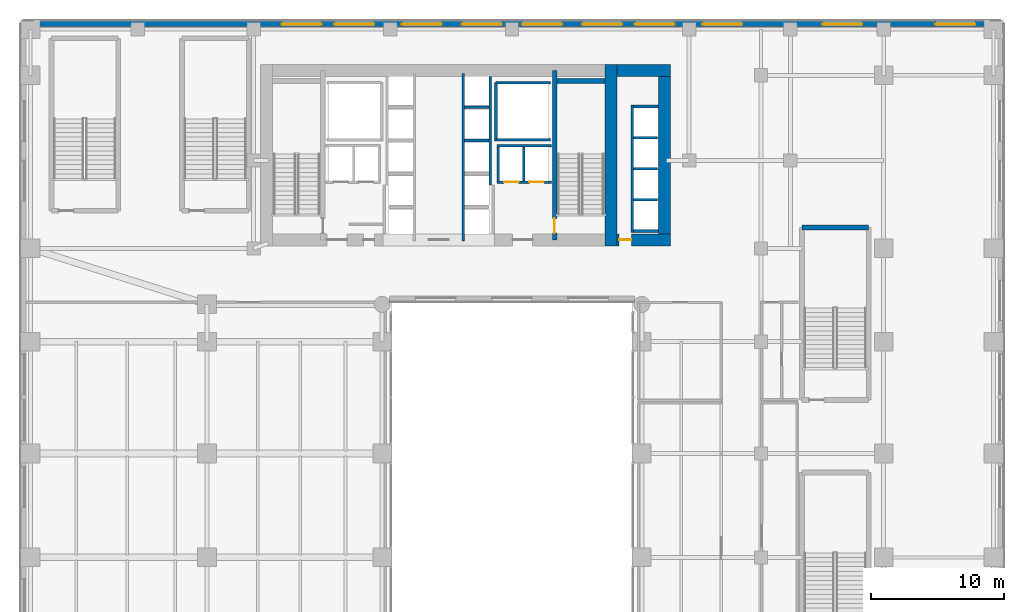
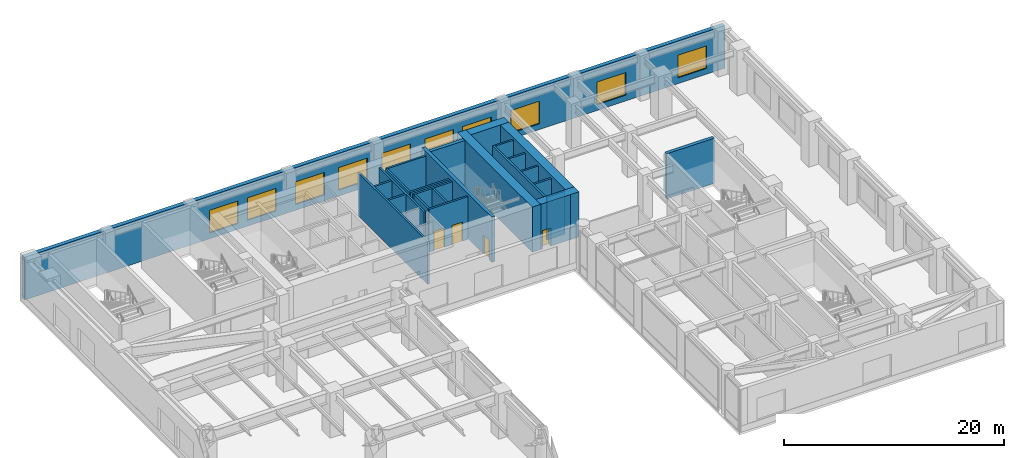
# One storey, part 15 of 24: 25 walls, 10 windows, 4 doors, 14 openings.
"""IFC4 building model written with IfcOpenShell, lengths in metres."""

from ifc_helpers import new_model, si_unit, direction, frame, frame_2d, origin, place, context, subcontext, project, spatial, rectangle, extrude, source, transform, mapped, material, layer, layer_set, type_object, type_shapes, element, fill, save


model = new_model("IFC4")

# Units and contexts
model_context = context("Model", 3, precision=1e-05, world=origin(), true_north=direction((0.0, 1.0)))
body_context = subcontext(model_context, "Body", "Model", "MODEL_VIEW")
ifc_project = project(units=[si_unit("LENGTHUNIT", "METRE"), si_unit("AREAUNIT", "SQUARE_METRE"), si_unit("VOLUMEUNIT", "CUBIC_METRE"), si_unit("PLANEANGLEUNIT", "RADIAN"), si_unit("MASSUNIT", "GRAM", prefix="KILO")], contexts=[model_context])

# Site, building, storey
site_placement = place(None, origin())
site = spatial("IfcSite", under=ifc_project, at=site_placement, CompositionType="ELEMENT")
building_placement = place(site_placement, origin())
building = spatial("IfcBuilding", under=site, at=building_placement, Name="Tolvann Quenvar Hotel", CompositionType="ELEMENT")
storey_placement = place(building_placement, frame((0.0, 0.0, 6.0)))
storey = spatial("IfcBuildingStorey", under=building, at=storey_placement, Name="L01", CompositionType="ELEMENT", Elevation=6.0)

# Wall
ifc_material_1 = material(Name="Concrete S80 (80 MPa)", Category="concrete")
ifc_layer_1 = layer(ifc_material_1, 0.89990234375)
ifc_layer_set_1 = layer_set([ifc_layer_1], Name="Concrete S80 (80 MPa)")
wall_type_1 = type_object("IfcWallType", Name="WALL_CORE_900", PredefinedType="SHEAR", material=ifc_layer_set_1)
wall_1_placement = place(storey_placement, frame((35.949951171875, 31.60009765625, 0.0), z_axis=(0.0, 0.0, 1.0), x_axis=(0.0, 1.0, 0.0)))
element("IfcWall", 1, at=wall_1_placement, inside=storey, type_object=wall_type_1, Name="Rear Core E Shear Wall (L01)", PredefinedType="SHEAR", context=body_context, shape_type="SweptSolid", body=[
    extrude(rectangle(XDim=13.599853515625, YDim=0.89990234375, at=frame_2d((6.7998046875, 0.0))), origin(), (0.0, 0.0, 1.0), 5.0),
])

# Wall, opening, door
wall_2_placement = place(storey_placement, frame((36.39990234375, 32.050048828125, 0.0), z_axis=(0.0, 0.0, 1.0), x_axis=(1.0, 0.0, 0.0)))
wall_2 = element("IfcWall", 2, at=wall_2_placement, inside=storey, type_object=wall_type_1, Name="Core East Annex Shear Wall ANN-S (L01)", PredefinedType="SHEAR", context=body_context, shape_type="SweptSolid", body=[
    extrude(rectangle(XDim=4.0, YDim=0.89990234375, at=frame_2d((2.0, 0.0))), origin(), (0.0, 0.0, 1.0), 5.0),
])
opening_1_placement = place(wall_2_placement, frame((1.06982421875, 0.0, 0.0), z_axis=(0.0, 0.0, 1.0), x_axis=(-1.0, 0.0, 0.0)))
opening_1 = element("IfcOpeningElement", 3, at=opening_1_placement, cuts=wall_2, Name="Opening WD-01", PredefinedType="OPENING", context=body_context, shape_type="SweptSolid", body=[
    extrude(rectangle(XDim=0.919921875, YDim=2.010009765625, at=frame_2d((0.4599609375, 1.0048828125))), frame((0.0, 0.4599609375, 0.0), z_axis=(0.0, -1.0, 0.0), x_axis=(1.0, 0.0, 0.0)), (0.0, 0.0, 1.0), 0.919921875),
])
ifc_material_2 = material(Name="Solid-core American oak acoustic fire door leaf in steel frame", Category="steel")
door_type_1 = type_object("IfcDoorType", Name="DOOR_WC_920", OperationType="NOTDEFINED", PredefinedType="DOOR", material=ifc_material_2)
shared_shape_1 = source(origin(), body_context, "Body", "SweptSolid", [
    extrude(rectangle(XDim=0.919921875, YDim=2.010009765625, at=frame_2d((0.4599609375, 1.0048828125))), frame((0.0, 0.02490234375, 0.0), z_axis=(0.0, -1.0, 0.0), x_axis=(1.0, 0.0, 0.0)), (0.0, 0.0, 1.0), 0.050048828125),
])
type_shapes(door_type_1, [shared_shape_1])
door_1_placement = place(opening_1_placement, origin())
door_1 = element("IfcDoor", 4, at=door_1_placement, inside=storey, type_object=door_type_1, Name="Low-Rise Lift Lobby Fire Door (L01)", OperationType="SINGLE_SWING_RIGHT", OverallHeight=2.010009765625, OverallWidth=0.919921875, PredefinedType="DOOR", context=body_context, shape_type="MappedRepresentation", body=[
    mapped(shared_shape_1, transform((0.0, 0.0, 0.0), x_axis=(1.0, 0.0, 0.0), y_axis=(0.0, 1.0, 0.0), z_axis=(0.0, 0.0, 1.0), scale=1.0)),
])
fill(opening_1, door_1)

# Walls
wall_3_placement = place(storey_placement, frame((36.39990234375, 44.75, 0.0), z_axis=(0.0, 0.0, 1.0), x_axis=(1.0, 0.0, 0.0)))
element("IfcWall", 5, at=wall_3_placement, inside=storey, type_object=wall_type_1, Name="Core East Annex Shear Wall ANN-N (L01)", PredefinedType="SHEAR", context=body_context, shape_type="SweptSolid", body=[
    extrude(rectangle(XDim=4.0, YDim=0.89990234375, at=frame_2d((2.0, 0.0))), origin(), (0.0, 0.0, 1.0), 5.0),
])
wall_4_placement = place(storey_placement, frame((39.949951171875, 31.60009765625, 0.0), z_axis=(0.0, 0.0, 1.0), x_axis=(0.0, 1.0, 0.0)))
element("IfcWall", 6, at=wall_4_placement, inside=storey, type_object=wall_type_1, Name="Core East Annex Shear Wall ANN-E (L01)", PredefinedType="SHEAR", context=body_context, shape_type="SweptSolid", body=[
    extrude(rectangle(XDim=13.599853515625, YDim=0.89990234375, at=frame_2d((6.7998046875, 0.0))), origin(), (0.0, 0.0, 1.0), 5.0),
])

# Wall, opening, door
ifc_material_3 = material(Name="Concrete S65 (65 MPa)", Category="concrete")
ifc_layer_2 = layer(ifc_material_3, 0.35009765625)
ifc_layer_set_2 = layer_set([ifc_layer_2], Name="Concrete S65 (65 MPa)")
wall_type_2 = type_object("IfcWallType", Name="WALL_CORE_INT_350", PredefinedType="SHEAR", material=ifc_layer_set_2)
wall_5_placement = place(storey_placement, frame((31.699951171875, 32.050048828125, 0.0), z_axis=(0.0, 0.0, 1.0), x_axis=(0.0, 1.0, 0.0)))
wall_5 = element("IfcWall", 7, at=wall_5_placement, inside=storey, type_object=wall_type_2, Name="Core Internal Web Shear Wall WEB-E (L01)", PredefinedType="SHEAR", context=body_context, shape_type="SweptSolid", body=[
    extrude(rectangle(XDim=12.699951171875, YDim=0.35009765625, at=frame_2d((6.35009765625, 0.0))), origin(), (0.0, 0.0, 1.0), 5.0),
])
opening_2_placement = place(wall_5_placement, frame((1.60009765625, 0.0, 0.0), z_axis=(0.0, 0.0, 1.0), x_axis=(-1.0, 0.0, 0.0)))
opening_2 = element("IfcOpeningElement", 8, at=opening_2_placement, cuts=wall_5, Name="Opening FD-120", PredefinedType="OPENING", context=body_context, shape_type="SweptSolid", body=[
    extrude(rectangle(XDim=1.10009765625, YDim=2.1201171875, at=frame_2d((0.550048828125, 1.06005859375))), frame((0.0, 0.18505859375, 0.0), z_axis=(0.0, -1.0, 0.0), x_axis=(1.0, 0.0, 0.0)), (0.0, 0.0, 1.0), 0.3701171875),
])
ifc_material_4 = material(Name="Pressed galvanised steel fire-rated door set", Category="steel")
door_type_2 = type_object("IfcDoorType", Name="DOOR_FIRE_STAIR_1100", OperationType="NOTDEFINED", PredefinedType="DOOR", material=ifc_material_4)
shared_shape_2 = source(origin(), body_context, "Body", "SweptSolid", [
    extrude(rectangle(XDim=1.10009765625, YDim=2.1201171875, at=frame_2d((0.550048828125, 1.06005859375))), frame((0.0, 0.02490234375, 0.0), z_axis=(0.0, -1.0, 0.0), x_axis=(1.0, 0.0, 0.0)), (0.0, 0.0, 1.0), 0.050048828125),
])
type_shapes(door_type_2, [shared_shape_2])
door_2_placement = place(opening_2_placement, origin())
door_2 = element("IfcDoor", 9, at=door_2_placement, inside=storey, type_object=door_type_2, Name="Exit Stair ST-C2 Fire Door (L01)", OperationType="SINGLE_SWING_RIGHT", OverallHeight=2.1201171875, OverallWidth=1.10009765625, PredefinedType="DOOR", context=body_context, shape_type="MappedRepresentation", body=[
    mapped(shared_shape_2, transform((0.0, 0.0, 0.0), x_axis=(1.0, 0.0, 0.0), y_axis=(0.0, 1.0, 0.0), z_axis=(0.0, 0.0, 1.0), scale=1.0)),
])
fill(opening_2, door_2)

# Walls
wall_6_placement = place(storey_placement, frame((31.8798828125, 43.97509765625, 0.0), z_axis=(0.0, 0.0, 1.0), x_axis=(1.0, 0.0, 0.0)))
element("IfcWall", 10, at=wall_6_placement, inside=storey, type_object=wall_type_2, Name="Core Stair North Closing Shear Wall STC2-N (L01)", PredefinedType="SHEAR", context=body_context, shape_type="SweptSolid", body=[
    extrude(rectangle(XDim=3.60009765625, YDim=0.35009765625, at=frame_2d((1.800048828125, 0.0))), origin(), (0.0, 0.0, 1.0), 5.0),
])
wall_7_placement = place(storey_placement, frame((55.27490234375, 32.97509765625, 0.0), z_axis=(0.0, 0.0, 1.0), x_axis=(-1.0, 0.0, 0.0)))
element("IfcWall", 11, at=wall_7_placement, inside=storey, type_object=wall_type_2, Name="Stairwell ST-P4 Structural Shaft Wall N (L01)", PredefinedType="SHEAR", context=body_context, shape_type="SweptSolid", body=[
    extrude(rectangle(XDim=5.0, YDim=0.35009765625, at=frame_2d((2.5, 0.0))), origin(), (0.0, 0.0, 1.0), 5.0),
])

# Wall, openings, windows
ifc_material_5 = material(Name="Kiln-fired red and buff architectural clay brickwork and terracotta masonry", Category="masonry")
ifc_layer_3 = layer(ifc_material_5, 0.419921875)
ifc_layer_set_3 = layer_set([ifc_layer_3], Name="Kiln-fired red and buff architectural clay brickwork and terracotta masonry")
wall_type_3 = type_object("IfcWallType", Name="WALL_EXT_POD_420", PredefinedType="SOLIDWALL", material=ifc_layer_set_3)
wall_8_placement = place(storey_placement, frame((65.18994140625, 48.2900390625, 0.0), z_axis=(0.0, 0.0, 1.0), x_axis=(-1.0, 0.0, 0.0)))
wall_8 = element("IfcWall", 12, at=wall_8_placement, inside=storey, type_object=wall_type_3, Name="Exterior Chicago Brick Wall L01-E06", PredefinedType="SOLIDWALL", context=body_context, shape_type="SweptSolid", body=[
    extrude(rectangle(XDim=73.3798828125, YDim=0.419921875, at=frame_2d((36.68994140625, 0.0))), origin(), (0.0, 0.0, 1.0), 4.739990234375),
])
opening_3_placement = place(wall_8_placement, frame((1.906005859375, 0.0, 0.64990234375)))
opening_3 = element("IfcOpeningElement", 13, at=opening_3_placement, cuts=wall_8, Name="Opening W-05", PredefinedType="OPENING", context=body_context, shape_type="SweptSolid", body=[
    extrude(rectangle(XDim=3.0, YDim=2.5, at=frame_2d((1.5, 1.25))), frame((0.0, 0.219970703125, 0.0), z_axis=(0.0, -1.0, 0.0), x_axis=(1.0, 0.0, 0.0)), (0.0, 0.0, 1.0), 0.43994140625),
])
opening_4_placement = place(wall_8_placement, frame((10.3779296875, 0.0, 0.64990234375)))
opening_4 = element("IfcOpeningElement", 14, at=opening_4_placement, cuts=wall_8, Name="Opening W-05", PredefinedType="OPENING", context=body_context, shape_type="SweptSolid", body=[
    extrude(rectangle(XDim=3.0, YDim=2.5, at=frame_2d((1.5, 1.25))), frame((0.0, 0.219970703125, 0.0), z_axis=(0.0, -1.0, 0.0), x_axis=(1.0, 0.0, 0.0)), (0.0, 0.0, 1.0), 0.43994140625),
])
opening_5_placement = place(wall_8_placement, frame((19.40087890625, 0.0, 0.64990234375)))
opening_5 = element("IfcOpeningElement", 15, at=opening_5_placement, cuts=wall_8, Name="Opening W-05", PredefinedType="OPENING", context=body_context, shape_type="SweptSolid", body=[
    extrude(rectangle(XDim=3.0, YDim=2.5, at=frame_2d((1.5, 1.25))), frame((0.0, 0.219970703125, 0.0), z_axis=(0.0, -1.0, 0.0), x_axis=(1.0, 0.0, 0.0)), (0.0, 0.0, 1.0), 0.43994140625),
])
opening_6_placement = place(wall_8_placement, frame((24.4619140625, 0.0, 0.64990234375)))
opening_6 = element("IfcOpeningElement", 16, at=opening_6_placement, cuts=wall_8, Name="Opening W-05", PredefinedType="OPENING", context=body_context, shape_type="SweptSolid", body=[
    extrude(rectangle(XDim=3.0, YDim=2.5, at=frame_2d((1.5, 1.25))), frame((0.0, 0.219970703125, 0.0), z_axis=(0.0, -1.0, 0.0), x_axis=(1.0, 0.0, 0.0)), (0.0, 0.0, 1.0), 0.43994140625),
])
opening_7_placement = place(wall_8_placement, frame((28.423095703125, 0.0, 0.64990234375)))
opening_7 = element("IfcOpeningElement", 17, at=opening_7_placement, cuts=wall_8, Name="Opening W-05", PredefinedType="OPENING", context=body_context, shape_type="SweptSolid", body=[
    extrude(rectangle(XDim=3.0, YDim=2.5, at=frame_2d((1.5, 1.25))), frame((0.0, 0.219970703125, 0.0), z_axis=(0.0, -1.0, 0.0), x_axis=(1.0, 0.0, 0.0)), (0.0, 0.0, 1.0), 0.43994140625),
])
opening_8_placement = place(wall_8_placement, frame((32.93408203125, 0.0, 0.64990234375)))
opening_8 = element("IfcOpeningElement", 18, at=opening_8_placement, cuts=wall_8, Name="Opening W-05", PredefinedType="OPENING", context=body_context, shape_type="SweptSolid", body=[
    extrude(rectangle(XDim=3.0, YDim=2.5, at=frame_2d((1.5, 1.25))), frame((0.0, 0.219970703125, 0.0), z_axis=(0.0, -1.0, 0.0), x_axis=(1.0, 0.0, 0.0)), (0.0, 0.0, 1.0), 0.43994140625),
])
opening_9_placement = place(wall_8_placement, frame((37.446044921875, 0.0, 0.64990234375)))
opening_9 = element("IfcOpeningElement", 19, at=opening_9_placement, cuts=wall_8, Name="Opening W-05", PredefinedType="OPENING", context=body_context, shape_type="SweptSolid", body=[
    extrude(rectangle(XDim=3.0, YDim=2.5, at=frame_2d((1.5, 1.25))), frame((0.0, 0.219970703125, 0.0), z_axis=(0.0, -1.0, 0.0), x_axis=(1.0, 0.0, 0.0)), (0.0, 0.0, 1.0), 0.43994140625),
])
opening_10_placement = place(wall_8_placement, frame((41.95703125, 0.0, 0.64990234375)))
opening_10 = element("IfcOpeningElement", 20, at=opening_10_placement, cuts=wall_8, Name="Opening W-05", PredefinedType="OPENING", context=body_context, shape_type="SweptSolid", body=[
    extrude(rectangle(XDim=3.0, YDim=2.5, at=frame_2d((1.5, 1.25))), frame((0.0, 0.219970703125, 0.0), z_axis=(0.0, -1.0, 0.0), x_axis=(1.0, 0.0, 0.0)), (0.0, 0.0, 1.0), 0.43994140625),
])
opening_11_placement = place(wall_8_placement, frame((47.01806640625, 0.0, 0.64990234375)))
opening_11 = element("IfcOpeningElement", 21, at=opening_11_placement, cuts=wall_8, Name="Opening W-05", PredefinedType="OPENING", context=body_context, shape_type="SweptSolid", body=[
    extrude(rectangle(XDim=3.0, YDim=2.5, at=frame_2d((1.5, 1.25))), frame((0.0, 0.219970703125, 0.0), z_axis=(0.0, -1.0, 0.0), x_axis=(1.0, 0.0, 0.0)), (0.0, 0.0, 1.0), 0.43994140625),
])
opening_12_placement = place(wall_8_placement, frame((50.97900390625, 0.0, 0.64990234375)))
opening_12 = element("IfcOpeningElement", 22, at=opening_12_placement, cuts=wall_8, Name="Opening W-05", PredefinedType="OPENING", context=body_context, shape_type="SweptSolid", body=[
    extrude(rectangle(XDim=3.0, YDim=2.5, at=frame_2d((1.5, 1.25))), frame((0.0, 0.219970703125, 0.0), z_axis=(0.0, -1.0, 0.0), x_axis=(1.0, 0.0, 0.0)), (0.0, 0.0, 1.0), 0.43994140625),
])
ifc_material_6 = material(Name="Thermally broken bronze-anodised aluminium frame with double low-E glazing", Category="aluminium")
window_type = type_object("IfcWindowType", Name="WIN_POD_3000x2600", PartitioningType="TRIPLE_PANEL_HORIZONTAL", PredefinedType="WINDOW", material=ifc_material_6)
shared_shape_3 = source(origin(), body_context, "Body", "SweptSolid", [
    extrude(rectangle(XDim=3.0, YDim=2.5, at=frame_2d((1.5, 1.25))), frame((0.0, 0.090087890625, 0.0), z_axis=(0.0, -1.0, 0.0), x_axis=(1.0, 0.0, 0.0)), (0.0, 0.0, 1.0), 0.06005859375),
])
type_shapes(window_type, [shared_shape_3])
window_1_placement = place(opening_3_placement, origin())
window_1 = element("IfcWindow", 23, at=window_1_placement, inside=storey, type_object=window_type, Name="Chicago Window W-05 (EW-L01-E06-W01)", OverallHeight=2.5, OverallWidth=3.0, PartitioningType="TRIPLE_PANEL_HORIZONTAL", PredefinedType="WINDOW", context=body_context, shape_type="MappedRepresentation", body=[
    mapped(shared_shape_3, transform((0.0, 0.0, 0.0), x_axis=(1.0, 0.0, 0.0), y_axis=(0.0, 1.0, 0.0), z_axis=(0.0, 0.0, 1.0), scale=1.0)),
])
fill(opening_3, window_1)
window_2_placement = place(opening_4_placement, origin())
window_2 = element("IfcWindow", 24, at=window_2_placement, inside=storey, type_object=window_type, Name="Chicago Window W-05 (EW-L01-E06-W02)", OverallHeight=2.5, OverallWidth=3.0, PartitioningType="TRIPLE_PANEL_HORIZONTAL", PredefinedType="WINDOW", context=body_context, shape_type="MappedRepresentation", body=[
    mapped(shared_shape_3, transform((0.0, 0.0, 0.0), x_axis=(1.0, 0.0, 0.0), y_axis=(0.0, 1.0, 0.0), z_axis=(0.0, 0.0, 1.0), scale=1.0)),
])
fill(opening_4, window_2)
window_3_placement = place(opening_5_placement, origin())
window_3 = element("IfcWindow", 25, at=window_3_placement, inside=storey, type_object=window_type, Name="Chicago Window W-05 (EW-L01-E06-W03)", OverallHeight=2.5, OverallWidth=3.0, PartitioningType="TRIPLE_PANEL_HORIZONTAL", PredefinedType="WINDOW", context=body_context, shape_type="MappedRepresentation", body=[
    mapped(shared_shape_3, transform((0.0, 0.0, 0.0), x_axis=(1.0, 0.0, 0.0), y_axis=(0.0, 1.0, 0.0), z_axis=(0.0, 0.0, 1.0), scale=1.0)),
])
fill(opening_5, window_3)
window_4_placement = place(opening_6_placement, origin())
window_4 = element("IfcWindow", 26, at=window_4_placement, inside=storey, type_object=window_type, Name="Chicago Window W-05 (EW-L01-E06-W04)", OverallHeight=2.5, OverallWidth=3.0, PartitioningType="TRIPLE_PANEL_HORIZONTAL", PredefinedType="WINDOW", context=body_context, shape_type="MappedRepresentation", body=[
    mapped(shared_shape_3, transform((0.0, 0.0, 0.0), x_axis=(1.0, 0.0, 0.0), y_axis=(0.0, 1.0, 0.0), z_axis=(0.0, 0.0, 1.0), scale=1.0)),
])
fill(opening_6, window_4)
window_5_placement = place(opening_7_placement, origin())
window_5 = element("IfcWindow", 27, at=window_5_placement, inside=storey, type_object=window_type, Name="Chicago Window W-05 (EW-L01-E06-W05)", OverallHeight=2.5, OverallWidth=3.0, PartitioningType="TRIPLE_PANEL_HORIZONTAL", PredefinedType="WINDOW", context=body_context, shape_type="MappedRepresentation", body=[
    mapped(shared_shape_3, transform((0.0, 0.0, 0.0), x_axis=(1.0, 0.0, 0.0), y_axis=(0.0, 1.0, 0.0), z_axis=(0.0, 0.0, 1.0), scale=1.0)),
])
fill(opening_7, window_5)
window_6_placement = place(opening_8_placement, origin())
window_6 = element("IfcWindow", 28, at=window_6_placement, inside=storey, type_object=window_type, Name="Chicago Window W-05 (EW-L01-E06-W06)", OverallHeight=2.5, OverallWidth=3.0, PartitioningType="TRIPLE_PANEL_HORIZONTAL", PredefinedType="WINDOW", context=body_context, shape_type="MappedRepresentation", body=[
    mapped(shared_shape_3, transform((0.0, 0.0, 0.0), x_axis=(1.0, 0.0, 0.0), y_axis=(0.0, 1.0, 0.0), z_axis=(0.0, 0.0, 1.0), scale=1.0)),
])
fill(opening_8, window_6)
window_7_placement = place(opening_9_placement, origin())
window_7 = element("IfcWindow", 29, at=window_7_placement, inside=storey, type_object=window_type, Name="Chicago Window W-05 (EW-L01-E06-W07)", OverallHeight=2.5, OverallWidth=3.0, PartitioningType="TRIPLE_PANEL_HORIZONTAL", PredefinedType="WINDOW", context=body_context, shape_type="MappedRepresentation", body=[
    mapped(shared_shape_3, transform((0.0, 0.0, 0.0), x_axis=(1.0, 0.0, 0.0), y_axis=(0.0, 1.0, 0.0), z_axis=(0.0, 0.0, 1.0), scale=1.0)),
])
fill(opening_9, window_7)
window_8_placement = place(opening_10_placement, origin())
window_8 = element("IfcWindow", 30, at=window_8_placement, inside=storey, type_object=window_type, Name="Chicago Window W-05 (EW-L01-E06-W08)", OverallHeight=2.5, OverallWidth=3.0, PartitioningType="TRIPLE_PANEL_HORIZONTAL", PredefinedType="WINDOW", context=body_context, shape_type="MappedRepresentation", body=[
    mapped(shared_shape_3, transform((0.0, 0.0, 0.0), x_axis=(1.0, 0.0, 0.0), y_axis=(0.0, 1.0, 0.0), z_axis=(0.0, 0.0, 1.0), scale=1.0)),
])
fill(opening_10, window_8)
window_9_placement = place(opening_11_placement, origin())
window_9 = element("IfcWindow", 31, at=window_9_placement, inside=storey, type_object=window_type, Name="Chicago Window W-05 (EW-L01-E06-W09)", OverallHeight=2.5, OverallWidth=3.0, PartitioningType="TRIPLE_PANEL_HORIZONTAL", PredefinedType="WINDOW", context=body_context, shape_type="MappedRepresentation", body=[
    mapped(shared_shape_3, transform((0.0, 0.0, 0.0), x_axis=(1.0, 0.0, 0.0), y_axis=(0.0, 1.0, 0.0), z_axis=(0.0, 0.0, 1.0), scale=1.0)),
])
fill(opening_11, window_9)
window_10_placement = place(opening_12_placement, origin())
window_10 = element("IfcWindow", 32, at=window_10_placement, inside=storey, type_object=window_type, Name="Chicago Window W-05 (EW-L01-E06-W10)", OverallHeight=2.5, OverallWidth=3.0, PartitioningType="TRIPLE_PANEL_HORIZONTAL", PredefinedType="WINDOW", context=body_context, shape_type="MappedRepresentation", body=[
    mapped(shared_shape_3, transform((0.0, 0.0, 0.0), x_axis=(1.0, 0.0, 0.0), y_axis=(0.0, 1.0, 0.0), z_axis=(0.0, 0.0, 1.0), scale=1.0)),
])
fill(opening_12, window_10)

# Walls
ifc_material_7 = material(Name="Concrete N40 (40 MPa)", Category="concrete")
ifc_layer_4 = layer(ifc_material_7, 0.199951171875)
ifc_layer_set_4 = layer_set([ifc_layer_4], Name="Concrete N40 (40 MPa)")
wall_type_4 = type_object("IfcWallType", Name="WALL_SHAFT_200", PredefinedType="SOLIDWALL", material=ifc_layer_set_4)
wall_9_placement = place(storey_placement, frame((27.300048828125, 39.449951171875, 0.0), z_axis=(0.0, 0.0, 1.0), x_axis=(0.0, 1.0, 0.0)))
element("IfcWall", 33, at=wall_9_placement, inside=storey, type_object=wall_type_4, Name="Service Riser E Shaft Wall IN (L01)", PredefinedType="SOLIDWALL", context=body_context, shape_type="SweptSolid", body=[
    extrude(rectangle(XDim=4.400146484375, YDim=0.199951171875, at=frame_2d((2.2001953125, 0.0))), origin(), (0.0, 0.0, 1.0), 4.739990234375),
])
for number, where, z_axis, x_axis, name in (
    (34, (27.300048828125, 39.550048828125, 0.0), (0.0, 0.0, 1.0), (1.0, 0.0, 0.0), "Service Riser E Shaft Wall S (L01)"),
    (35, (27.300048828125, 43.85009765625, 0.0), (0.0, 0.0, 1.0), (1.0, 0.0, 0.0), "Service Riser E Shaft Wall N (L01)"),
):
    element("IfcWall", number, at=place(storey_placement, frame(where, z_axis=z_axis, x_axis=x_axis)), inside=storey, type_object=wall_type_4, Name=name, PredefinedType="SOLIDWALL", context=body_context, shape_type="SweptSolid", body=[
        extrude(rectangle(XDim=4.099853515625, YDim=0.199951171875, at=frame_2d((2.0498046875, 0.0))), origin(), (0.0, 0.0, 1.0), 4.739990234375),
    ])

# Wall, openings, doors
wall_10_placement = place(storey_placement, frame((27.375, 36.3798828125, 0.0), z_axis=(0.0, 0.0, 1.0), x_axis=(1.0, 0.0, 0.0)))
wall_10 = element("IfcWall", 36, at=wall_10_placement, inside=storey, type_object=wall_type_4, Name="Lift Bank SEC1 Hoistway Front Wall (L01)", PredefinedType="SOLIDWALL", context=body_context, shape_type="SweptSolid", body=[
    extrude(rectangle(XDim=4.074951171875, YDim=0.199951171875, at=frame_2d((2.03759765625, 0.0))), origin(), (0.0, 0.0, 1.0), 4.739990234375),
])
opening_13_placement = place(wall_10_placement, frame((0.52490234375, 0.0, 0.0)))
opening_13 = element("IfcOpeningElement", 37, at=opening_13_placement, cuts=wall_10, Name="Opening LD-01", PredefinedType="OPENING", context=body_context, shape_type="SweptSolid", body=[
    extrude(rectangle(XDim=1.10009765625, YDim=2.1201171875, at=frame_2d((0.550048828125, 1.06005859375))), frame((0.0, 0.10986328125, 0.0), z_axis=(0.0, -1.0, 0.0), x_axis=(1.0, 0.0, 0.0)), (0.0, 0.0, 1.0), 0.219970703125),
])
opening_14_placement = place(wall_10_placement, frame((2.425048828125, 0.0, 0.0)))
opening_14 = element("IfcOpeningElement", 38, at=opening_14_placement, cuts=wall_10, Name="Opening LD-01", PredefinedType="OPENING", context=body_context, shape_type="SweptSolid", body=[
    extrude(rectangle(XDim=1.10009765625, YDim=2.1201171875, at=frame_2d((0.550048828125, 1.06005859375))), frame((0.0, 0.10986328125, 0.0), z_axis=(0.0, -1.0, 0.0), x_axis=(1.0, 0.0, 0.0)), (0.0, 0.0, 1.0), 0.219970703125),
])
ifc_material_8 = material(Name="Brushed 316 stainless steel automatic sliding lift landing door", Category="steel")
door_type_3 = type_object("IfcDoorType", Name="DOOR_LIFT_SLIDE_1100", OperationType="NOTDEFINED", PredefinedType="DOOR", material=ifc_material_8)
shared_shape_4 = source(origin(), body_context, "Body", "SweptSolid", [
    extrude(rectangle(XDim=1.10009765625, YDim=2.1201171875, at=frame_2d((0.550048828125, 1.06005859375))), frame((0.0, 0.02490234375, 0.0), z_axis=(0.0, -1.0, 0.0), x_axis=(1.0, 0.0, 0.0)), (0.0, 0.0, 1.0), 0.050048828125),
])
type_shapes(door_type_3, [shared_shape_4])
door_3_placement = place(opening_13_placement, origin())
door_3 = element("IfcDoor", 39, at=door_3_placement, inside=storey, type_object=door_type_3, Name="Lift SV-2 Sliding Landing Door (L01)", OperationType="SLIDING_TO_LEFT", OverallHeight=2.1201171875, OverallWidth=1.10009765625, PredefinedType="DOOR", context=body_context, shape_type="MappedRepresentation", body=[
    mapped(shared_shape_4, transform((0.0, 0.0, 0.0), x_axis=(1.0, 0.0, 0.0), y_axis=(0.0, 1.0, 0.0), z_axis=(0.0, 0.0, 1.0), scale=1.0)),
])
fill(opening_13, door_3)
door_4_placement = place(opening_14_placement, origin())
door_4 = element("IfcDoor", 40, at=door_4_placement, inside=storey, type_object=door_type_3, Name="Lift FF-2 Sliding Landing Door (L01)", OperationType="SLIDING_TO_RIGHT", OverallHeight=2.1201171875, OverallWidth=1.10009765625, PredefinedType="DOOR", context=body_context, shape_type="MappedRepresentation", body=[
    mapped(shared_shape_4, transform((0.0, 0.0, 0.0), x_axis=(1.0, 0.0, 0.0), y_axis=(0.0, 1.0, 0.0), z_axis=(0.0, 0.0, 1.0), scale=1.0)),
])
fill(opening_14, door_4)

# Walls
wall_11_placement = place(storey_placement, frame((27.375, 39.1201171875, 0.0), z_axis=(0.0, 0.0, 1.0), x_axis=(1.0, 0.0, 0.0)))
element("IfcWall", 41, at=wall_11_placement, inside=storey, type_object=wall_type_4, Name="Lift Bank SEC1 Hoistway Rear Wall (L01)", PredefinedType="SOLIDWALL", context=body_context, shape_type="SweptSolid", body=[
    extrude(rectangle(XDim=4.074951171875, YDim=0.199951171875, at=frame_2d((2.03759765625, 0.0))), origin(), (0.0, 0.0, 1.0), 4.739990234375),
])
for number, where, z_axis, x_axis, name in (
    (42, (27.47509765625, 36.47998046875, 0.0), (0.0, 0.0, 1.0), (0.0, 1.0, 0.0), "Lift Bank SEC1 Hoistway Cheek Wall 1 (L01)"),
    (43, (29.387451171875, 36.47998046875, 0.0), (0.0, 0.0, 1.0), (0.0, 1.0, 0.0), "Lift Bank SEC1 Divider Wall 1 (L01)"),
):
    element("IfcWall", number, at=place(storey_placement, frame(where, z_axis=z_axis, x_axis=x_axis)), inside=storey, type_object=wall_type_4, Name=name, PredefinedType="SOLIDWALL", context=body_context, shape_type="SweptSolid", body=[
        extrude(rectangle(XDim=2.5400390625, YDim=0.199951171875, at=frame_2d((1.27001953125, 0.0))), origin(), (0.0, 0.0, 1.0), 4.739990234375),
    ])
wall_12_placement = place(storey_placement, frame((24.830078125, 31.9599609375, 0.0), z_axis=(0.0, 0.0, 1.0), x_axis=(0.0, 1.0, 0.0)))
element("IfcWall", 44, at=wall_12_placement, inside=storey, type_object=wall_type_4, Name="Lift Bank W24.9C1 Hoistway Front Wall (L01)", PredefinedType="SOLIDWALL", context=body_context, shape_type="SweptSolid", body=[
    extrude(rectangle(XDim=12.580078125, YDim=0.199951171875, at=frame_2d((6.2900390625, 0.0))), origin(), (0.0, 0.0, 1.0), 4.739990234375),
])
wall_13_placement = place(storey_placement, frame((26.8701171875, 36.159912109375, 0.0), z_axis=(0.0, 0.0, 1.0), x_axis=(0.0, 1.0, 0.0)))
element("IfcWall", 45, at=wall_13_placement, inside=storey, type_object=wall_type_4, Name="Lift Bank W24.9C1 Hoistway Rear Wall (L01)", PredefinedType="SOLIDWALL", context=body_context, shape_type="SweptSolid", body=[
    extrude(rectangle(XDim=8.135986328125, YDim=0.199951171875, at=frame_2d((4.06787109375, 0.0))), origin(), (0.0, 0.0, 1.0), 4.739990234375),
])
for number, where, z_axis, x_axis, name in (
    (46, (24.929931640625, 39.5, 0.0), (0.0, 0.0, 1.0), (1.0, 0.0, 0.0), "Lift Bank W24.9C1 Divider Wall 3 (L01)"),
    (47, (24.929931640625, 42.0, 0.0), (0.0, 0.0, 1.0), (1.0, 0.0, 0.0), "Lift Bank W24.9C1 Divider Wall 4 (L01)"),
):
    element("IfcWall", number, at=place(storey_placement, frame(where, z_axis=z_axis, x_axis=x_axis)), inside=storey, type_object=wall_type_4, Name=name, PredefinedType="SOLIDWALL", context=body_context, shape_type="SweptSolid", body=[
        extrude(rectangle(XDim=1.840087890625, YDim=0.199951171875, at=frame_2d((0.919921875, 0.0))), origin(), (0.0, 0.0, 1.0), 4.739990234375),
    ])
wall_14_placement = place(storey_placement, frame((37.530029296875, 32.610107421875, 0.0), z_axis=(0.0, 0.0, 1.0), x_axis=(0.0, 1.0, 0.0)))
element("IfcWall", 48, at=wall_14_placement, inside=storey, type_object=wall_type_4, Name="Lift Bank W37.6C1 Hoistway Front Wall (L01)", PredefinedType="SOLIDWALL", context=body_context, shape_type="SweptSolid", body=[
    extrude(rectangle(XDim=9.539794921875, YDim=0.199951171875, at=frame_2d((4.77001953125, 0.0))), origin(), (0.0, 0.0, 1.0), 4.739990234375),
])
for number, where, z_axis, x_axis, name in (
    (49, (37.6298828125, 32.7099609375, 0.0), (0.0, 0.0, 1.0), (1.0, 0.0, 0.0), "Lift Bank W37.6C1 Hoistway Cheek Wall 1 (L01)"),
    (50, (37.6298828125, 42.050048828125, 0.0), (0.0, 0.0, 1.0), (1.0, 0.0, 0.0), "Lift Bank W37.6C1 Hoistway Cheek Wall 2 (L01)"),
):
    element("IfcWall", number, at=place(storey_placement, frame(where, z_axis=z_axis, x_axis=x_axis)), inside=storey, type_object=wall_type_4, Name=name, PredefinedType="SOLIDWALL", context=body_context, shape_type="SweptSolid", body=[
        extrude(rectangle(XDim=1.8701171875, YDim=0.199951171875, at=frame_2d((0.93505859375, 0.0))), origin(), (0.0, 0.0, 1.0), 4.739990234375),
    ])
for number, where, z_axis, x_axis, name in (
    (51, (37.6298828125, 35.06005859375, 0.0), (0.0, 0.0, 1.0), (1.0, 0.0, 0.0), "Lift Bank W37.6C1 Divider Wall 1 (L01)"),
    (52, (37.6298828125, 37.3798828125, 0.0), (0.0, 0.0, 1.0), (1.0, 0.0, 0.0), "Lift Bank W37.6C1 Divider Wall 2 (L01)"),
    (53, (37.6298828125, 39.699951171875, 0.0), (0.0, 0.0, 1.0), (1.0, 0.0, 0.0), "Lift Bank W37.6C1 Divider Wall 3 (L01)"),
):
    element("IfcWall", number, at=place(storey_placement, frame(where, z_axis=z_axis, x_axis=x_axis)), inside=storey, type_object=wall_type_4, Name=name, PredefinedType="SOLIDWALL", context=body_context, shape_type="SweptSolid", body=[
        extrude(rectangle(XDim=1.800048828125, YDim=0.199951171875, at=frame_2d((0.89990234375, 0.0))), origin(), (0.0, 0.0, 1.0), 4.739990234375),
    ])

save(model, "model.ifc")
